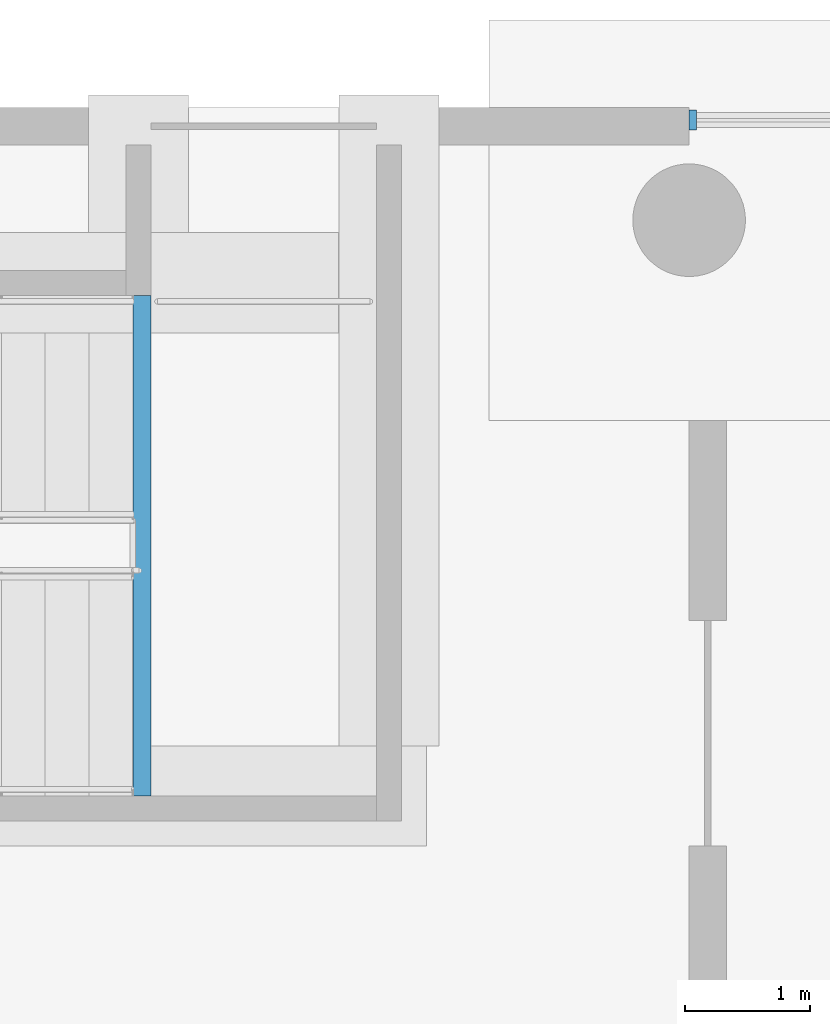
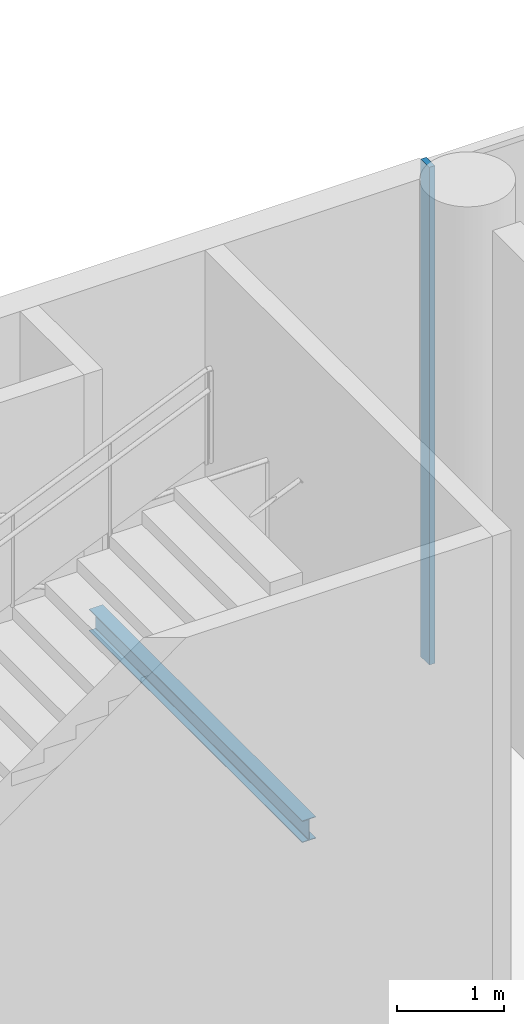
# One storey, part 9 of 31: 1 beam, 1 member, 1 element without a shape of its own.
"""IFC4 building model written with IfcOpenShell, lengths in metres."""

from ifc_helpers import new_model, si_unit, direction, frame, origin, origin_2d, place, context, subcontext, project, spatial, rectangle, i_section, extrude, material, layer, layer_set, material_profile, profile_set, type_object, element, aggregate, save


model = new_model("IFC4")

# Units and contexts
model_context = context("Model", 3, precision=1e-05, world=origin(), true_north=direction((0.0, 1.0)))
body_context = subcontext(model_context, "Body", "Model", "MODEL_VIEW")
ifc_project = project(units=[si_unit("LENGTHUNIT", "METRE"), si_unit("AREAUNIT", "SQUARE_METRE"), si_unit("VOLUMEUNIT", "CUBIC_METRE"), si_unit("PLANEANGLEUNIT", "RADIAN"), si_unit("MASSUNIT", "GRAM", prefix="KILO")], contexts=[model_context])

# Site, building, storey
site_placement = place(None, origin())
site = spatial("IfcSite", under=ifc_project, at=site_placement, CompositionType="ELEMENT")
building_placement = place(site_placement, origin())
building = spatial("IfcBuilding", under=site, at=building_placement, Name="Namib Vertical Campus", CompositionType="ELEMENT")
storey_placement = place(building_placement, origin())
storey = spatial("IfcBuildingStorey", under=building, at=storey_placement, Name="L00", CompositionType="ELEMENT", Elevation=0.0)

# Curtain wall, member
ifc_material_1 = material(Name="Black aluminium curtain wall", Category="aluminium")
ifc_layer = layer(ifc_material_1, 0.199951171875)
ifc_layer_set = layer_set([ifc_layer], Name="Entrance curtain wall CW-EN")
curtain_wall_type = type_object("IfcCurtainWallType", Name="Entrance curtain wall CW-EN", PredefinedType="USERDEFINED", material=ifc_layer_set)
curtain_wall_placement = place(storey_placement, origin())
curtain_wall = element("IfcCurtainWall", 1, at=curtain_wall_placement, inside=storey, type_object=curtain_wall_type, Name="Curtain wall CW-EN L00 11-1", ObjectType="CURTAIN WALL", PredefinedType="USERDEFINED")
ifc_material_2 = material(Name="Black anodised aluminium", Category="aluminium")
ifc_material_profile_1 = material_profile(ifc_material_2, rectangle(XDim=0.06005859375, YDim=0.159912109375, at=origin_2d()))
ifc_profile_set_1 = profile_set([ifc_material_profile_1], Name="Black anodised aluminium")
member_type = type_object("IfcMemberType", Name="Curtain wall mullion 60x160", PredefinedType="MULLION", material=ifc_profile_set_1)
member_placement = place(storey_placement, frame((63.030029296875, 49.39990234375, 0.0), z_axis=(0.0, 0.0, 1.0), x_axis=(-1.0, 0.0, 0.0)))
member = element("IfcMember", 2, at=member_placement, type_object=member_type, Name="CW-EN mullion 2", PredefinedType="MULLION", context=body_context, shape_type="SweptSolid", body=[
    extrude(rectangle(XDim=0.06005859375, YDim=0.159912109375, at=origin_2d()), origin(), (0.0, 0.0, 1.0), 5.699951171875),
])
aggregate(curtain_wall, [member])

# Beam
ifc_material_3 = material(Name="Steel S355JR", Category="steel")
ifc_material_profile_2 = material_profile(ifc_material_3, i_section(OverallWidth=0.14599609375, OverallDepth=0.25146484375, WebThickness=0.006103515625, FlangeThickness=0.008544921875, FilletRadius=0.007568359375, at=origin_2d()))
ifc_profile_set_2 = profile_set([ifc_material_profile_2], Name="Steel S355JR")
beam_type = type_object("IfcBeamType", Name="Landing trimmer UB 254x146x31", PredefinedType="BEAM", material=ifc_profile_set_2)
beam_placement = place(storey_placement, frame((58.626953125, 44.0, 2.874267578125), z_axis=(0.0, 1.0, 0.0), x_axis=(-1.0, 0.0, 0.0)))
element("IfcBeam", 3, at=beam_placement, inside=storey, type_object=beam_type, Name="Landing trimmer LT1 P-S3 L00 2", PredefinedType="BEAM", context=body_context, shape_type="SweptSolid", body=[
    extrude(i_section(OverallWidth=0.14599609375, OverallDepth=0.25146484375, WebThickness=0.006103515625, FlangeThickness=0.008544921875, FilletRadius=0.007568359375, at=origin_2d()), origin(), (0.0, 0.0, 1.0), 4.0),
])

save(model, "model.ifc")
